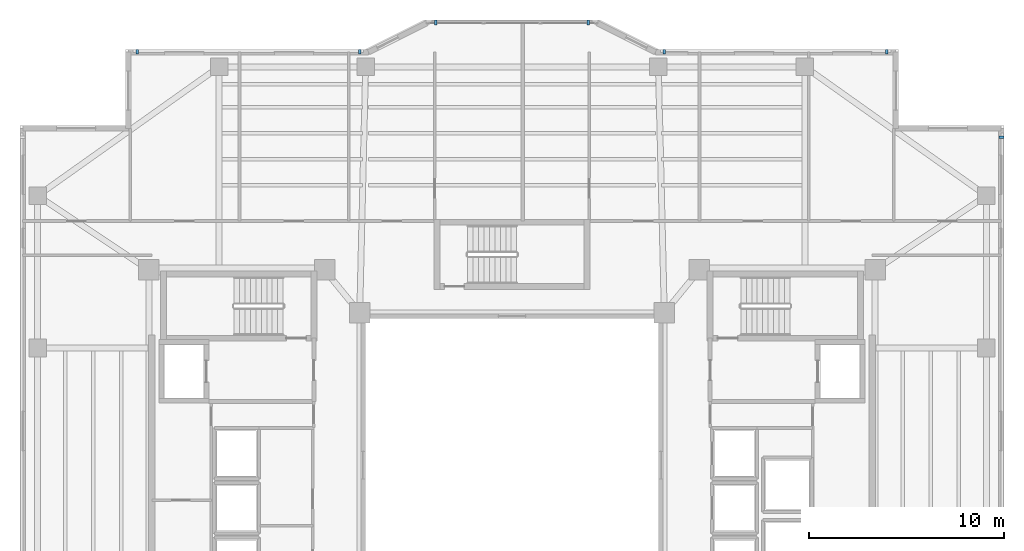
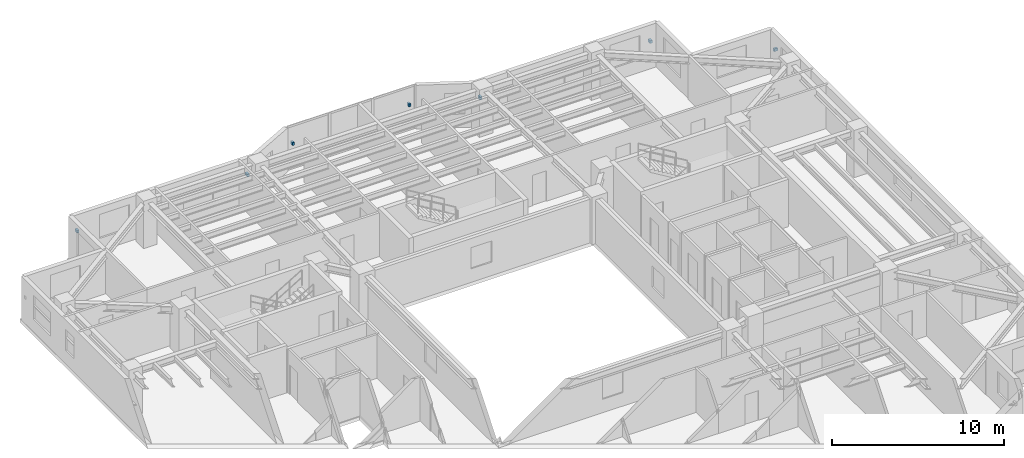
# One storey, part 12 of 15: 7 discrete accessories.
"""IFC4 building model written with IfcOpenShell, lengths in metres."""

from ifc_helpers import new_model, si_unit, direction, frame, origin, origin_2d, place, context, subcontext, project, spatial, rectangle, extrude, material, type_object, element, save


model = new_model("IFC4")

# Units and contexts
model_context = context("Model", 3, precision=1e-05, world=origin(), true_north=direction((0.0, 1.0)))
body_context = subcontext(model_context, "Body", "Model", "MODEL_VIEW")
ifc_project = project(units=[si_unit("LENGTHUNIT", "METRE"), si_unit("AREAUNIT", "SQUARE_METRE"), si_unit("VOLUMEUNIT", "CUBIC_METRE"), si_unit("PLANEANGLEUNIT", "RADIAN"), si_unit("MASSUNIT", "GRAM", prefix="KILO")], contexts=[model_context])

# Site, building, storey
site_placement = place(None, origin())
site = spatial("IfcSite", under=ifc_project, at=site_placement, CompositionType="ELEMENT")
building_placement = place(site_placement, origin())
building = spatial("IfcBuilding", under=site, at=building_placement, Name="Tarnavaz Court Tower", CompositionType="ELEMENT")
storey_placement = place(building_placement, frame((0.0, 0.0, 142.64990234375)))
storey = spatial("IfcBuildingStorey", under=building, at=storey_placement, Name="L38", CompositionType="ELEMENT", Elevation=142.64990234375)

# Discrete accessories
ifc_material = material(Name="Anodised Aluminium 6063-T6", Category="aluminium")
discrete_accessory_type = type_object("IfcDiscreteAccessoryType", Name="DA-BRKT-ALU", PredefinedType="BRACKET", material=ifc_material)
for number, where, z_axis, x_axis, name in (
    (1, (-19.199951171875, 21.169921875, 1.75), (0.0, 0.0, 1.0), (1.0, 0.0, 0.0), "L38 Baguette Outrigger Bracket FBG05-1"),
    (2, (-7.800048828125, 21.169921875, 1.75), (0.0, 0.0, 1.0), (1.0, 0.0, 0.0), "L38 Baguette Outrigger Bracket FBG05-2"),
    (3, (-3.89990234375, 22.669921875, 1.7001953125), (0.0, 0.0, 1.0), (1.0, 0.0, 0.0), "L38 Baguette Outrigger Bracket PBG7-1"),
    (4, (3.89990234375, 22.669921875, 1.7001953125), (0.0, 0.0, 1.0), (1.0, 0.0, 0.0), "L38 Baguette Outrigger Bracket PBG7-2"),
    (5, (7.800048828125, 21.169921875, 1.75), (0.0, 0.0, 1.0), (1.0, 0.0, 0.0), "L38 Baguette Outrigger Bracket FBG09-1"),
    (6, (19.199951171875, 21.169921875, 1.75), (0.0, 0.0, 1.0), (1.0, 0.0, 0.0), "L38 Baguette Outrigger Bracket FBG09-2"),
    (7, (25.070068359375, 16.800048828125, 1.75), (0.0, 0.0, 1.0), (0.0, -1.0, 0.0), "L38 Baguette Outrigger Bracket FBG12-1"),
):
    element("IfcDiscreteAccessory", number, at=place(storey_placement, frame(where, z_axis=z_axis, x_axis=x_axis)), inside=storey, type_object=discrete_accessory_type, Name=name, PredefinedType="BRACKET", context=body_context, shape_type="SweptSolid", body=[
        extrude(rectangle(XDim=0.139892578125, YDim=0.239990234375, at=origin_2d()), origin(), (0.0, 0.0, 1.0), 0.199951171875),
    ])

save(model, "model.ifc")
